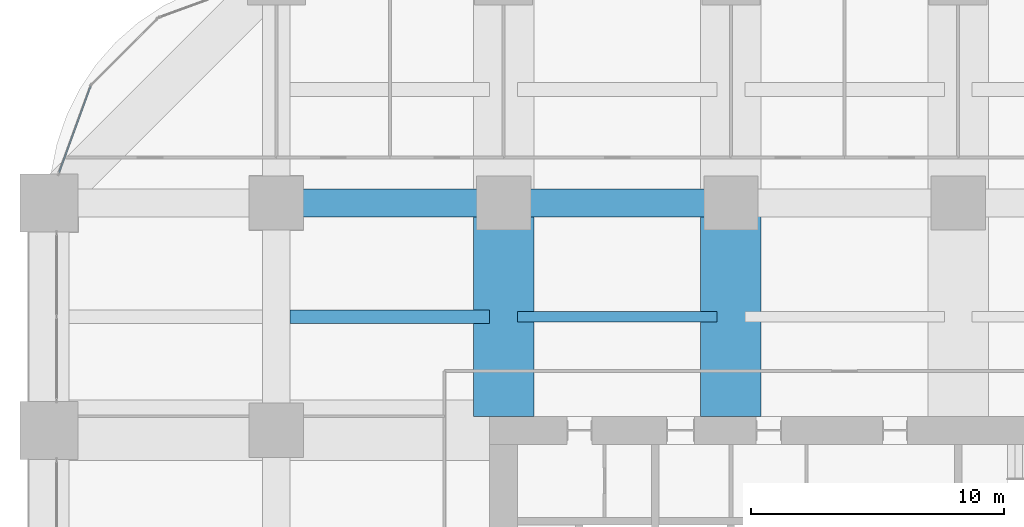
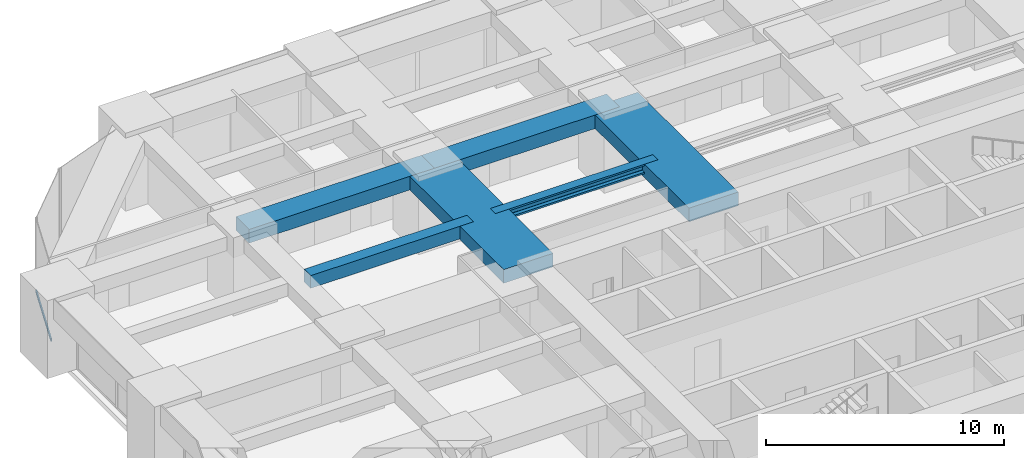
# One storey, part 26 of 43: 6 beams, 1 member, 1 element without a shape of its own.
"""IFC4 building model written with IfcOpenShell, lengths in metres."""

from ifc_helpers import new_model, si_unit, direction, frame, origin, origin_2d, place, context, subcontext, project, spatial, rectangle, hollow_rectangle, i_section, extrude, material, material_profile, profile_set, type_object, element, aggregate, save


model = new_model("IFC4")

# Units and contexts
model_context = context("Model", 3, precision=1e-05, world=origin(), true_north=direction((0.0, 1.0)))
body_context = subcontext(model_context, "Body", "Model", "MODEL_VIEW")
ifc_project = project(units=[si_unit("LENGTHUNIT", "METRE"), si_unit("AREAUNIT", "SQUARE_METRE"), si_unit("VOLUMEUNIT", "CUBIC_METRE"), si_unit("PLANEANGLEUNIT", "RADIAN"), si_unit("MASSUNIT", "GRAM", prefix="KILO")], contexts=[model_context])

# Site, building, storey
site_placement = place(None, origin())
site = spatial("IfcSite", under=ifc_project, at=site_placement, CompositionType="ELEMENT")
building_placement = place(site_placement, origin())
building = spatial("IfcBuilding", under=site, at=building_placement, Name="Zorevar Civic Tower", CompositionType="ELEMENT")
storey_placement = place(building_placement, frame((0.0, 0.0, 67.800048828125)))
storey = spatial("IfcBuildingStorey", under=building, at=storey_placement, Name="L16", CompositionType="ELEMENT", Elevation=67.800048828125)

# Beams
ifc_material_1 = material(Name="Concrete C50/60", Category="concrete")
ifc_material_profile_1 = material_profile(ifc_material_1, rectangle(XDim=1.10009765625, YDim=0.699951171875, at=origin_2d()), Name="RC 1100x700")
ifc_profile_set_1 = profile_set([ifc_material_profile_1], Name="Concrete C50/60")
beam_type_1 = type_object("IfcBeamType", Name="Beam RC 1100x700", PredefinedType="BEAM", material=ifc_profile_set_1)
for number, where, z_axis, x_axis, name in (
    (1, (9.0, 45.0, 3.39990234375), (1.0, 0.0, 0.0), (0.0, 1.0, 0.0), "Girder L17"),
    (2, (18.0, 45.0, 3.39990234375), (1.0, 0.0, 0.0), (0.0, 1.0, 0.0), "Girder L17"),
):
    element("IfcBeam", number, at=place(storey_placement, frame(where, z_axis=z_axis, x_axis=x_axis)), inside=storey, type_object=beam_type_1, Name=name, PredefinedType="BEAM", context=body_context, shape_type="SweptSolid", body=[
        extrude(rectangle(XDim=1.10009765625, YDim=0.699951171875, at=origin_2d()), origin(), (0.0, 0.0, 1.0), 9.0),
    ])
ifc_material_2 = material(Name="Concrete C50/60", Category="concrete")
ifc_material_profile_2 = material_profile(ifc_material_2, rectangle(XDim=2.39990234375, YDim=0.699951171875, at=origin_2d()), Name="RC 2400x700")
ifc_profile_set_2 = profile_set([ifc_material_profile_2], Name="Concrete C50/60")
beam_type_2 = type_object("IfcBeamType", Name="Beam RC 2400x700", PredefinedType="BEAM", material=ifc_profile_set_2)
for number, where, z_axis, x_axis, name in (
    (3, (18.0, 36.550048828125, 3.39990234375), (0.0, 1.0, 0.0), (-1.0, 0.0, 0.0), "Girder L17"),
    (4, (27.0, 36.550048828125, 3.39990234375), (0.0, 1.0, 0.0), (-1.0, 0.0, 0.0), "Girder L17"),
):
    element("IfcBeam", number, at=place(storey_placement, frame(where, z_axis=z_axis, x_axis=x_axis)), inside=storey, type_object=beam_type_2, Name=name, PredefinedType="BEAM", context=body_context, shape_type="SweptSolid", body=[
        extrude(rectangle(XDim=2.39990234375, YDim=0.699951171875, at=origin_2d()), origin(), (0.0, 0.0, 1.0), 8.449951171875),
    ])
ifc_material_3 = material(Name="Concrete C50/60", Category="concrete")
ifc_material_profile_3 = material_profile(ifc_material_3, rectangle(XDim=0.550048828125, YDim=0.64990234375, at=origin_2d()), Name="RC 550x650")
ifc_profile_set_3 = profile_set([ifc_material_profile_3], Name="Concrete C50/60")
beam_type_3 = type_object("IfcBeamType", Name="Beam RC 550x650", PredefinedType="BEAM", material=ifc_profile_set_3)
beam_1_placement = place(storey_placement, frame((9.550048828125, 40.5, 3.425048828125), z_axis=(1.0, 0.0, 0.0), x_axis=(0.0, 1.0, 0.0)))
element("IfcBeam", 5, at=beam_1_placement, inside=storey, type_object=beam_type_3, Name="Secondary beam L17", PredefinedType="BEAM", context=body_context, shape_type="SweptSolid", body=[
    extrude(rectangle(XDim=0.550048828125, YDim=0.64990234375, at=origin_2d()), origin(), (0.0, 0.0, 1.0), 7.89990234375),
])

# Curtain wall, member
ifc_material_4 = material(Name="Dark grey solar-control glass in black aluminium frame", Category="aluminium")
curtain_wall_type = type_object("IfcCurtainWallType", Name="Curtain wall CW2 low zone", PredefinedType="NOTDEFINED", material=ifc_material_4)
curtain_wall_placement = place(storey_placement, origin())
curtain_wall = element("IfcCurtainWall", 6, at=curtain_wall_placement, inside=storey, type_object=curtain_wall_type, Name="CW2 L16", PredefinedType="NOTDEFINED")
ifc_material_5 = material(Name="Aluminium, black anodised", Category="aluminium")
ifc_material_profile_4 = material_profile(ifc_material_5, hollow_rectangle(XDim=0.06005859375, YDim=0.14990234375, WallThickness=0.00390625, at=origin_2d()), Name="AL 150x60x4")
ifc_profile_set_4 = profile_set([ifc_material_profile_4], Name="Aluminium, black anodised")
member_type = type_object("IfcMemberType", Name="CW2 transom AL 150x60x4", PredefinedType="USERDEFINED", material=ifc_profile_set_4)
member_placement = place(storey_placement, frame((1.64453125, 49.622314453125, 0.030029296875), z_axis=(-0.343047162808, -0.939318180432, 0.0), x_axis=(0.939318180432, -0.343047162808, 0.0)))
member = element("IfcMember", 7, at=member_placement, type_object=member_type, Name="CW2 sill transom", ObjectType="TRANSOM", PredefinedType="USERDEFINED", context=body_context, shape_type="SweptSolid", body=[
    extrude(hollow_rectangle(XDim=0.06005859375, YDim=0.14990234375, WallThickness=0.00390625, at=origin_2d()), origin(), (0.0, 0.0, 1.0), 3.63671875),
])
aggregate(curtain_wall, [member])

# Beam
ifc_material_6 = material(Name="Steel S460M (HISTAR 460)", Category="steel")
ifc_material_profile_5 = material_profile(ifc_material_6, i_section(OverallWidth=0.431884765625, OverallDepth=0.498046875, WebThickness=0.0556640625, FlangeThickness=0.0888671875, FilletRadius=0.014892578125, at=origin_2d()), Name="HD 400x744")
ifc_profile_set_5 = profile_set([ifc_material_profile_5], Name="Steel S460M (HISTAR 460)")
beam_type_4 = type_object("IfcBeamType", Name="Core bay beam HD 400x744", PredefinedType="BEAM", material=ifc_profile_set_5)
beam_2_placement = place(storey_placement, frame((18.550048828125, 40.5, 3.5009765625), z_axis=(1.0, 0.0, 0.0), x_axis=(0.0, 1.0, 0.0)))
element("IfcBeam", 8, at=beam_2_placement, inside=storey, type_object=beam_type_4, Name="Secondary beam L17", PredefinedType="BEAM", context=body_context, shape_type="SweptSolid", body=[
    extrude(i_section(OverallWidth=0.431884765625, OverallDepth=0.498046875, WebThickness=0.0556640625, FlangeThickness=0.0888671875, FilletRadius=0.014892578125, at=origin_2d()), origin(), (0.0, 0.0, 1.0), 7.89990234375),
])

save(model, "model.ifc")
